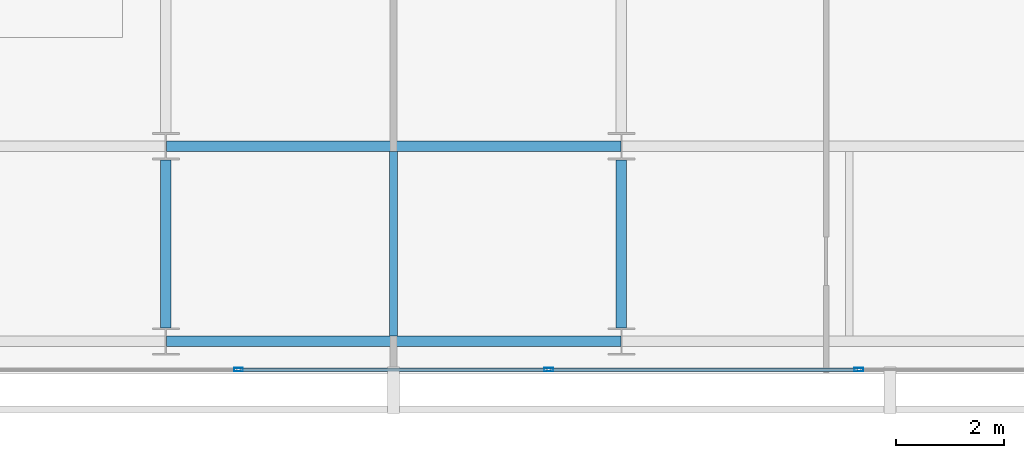
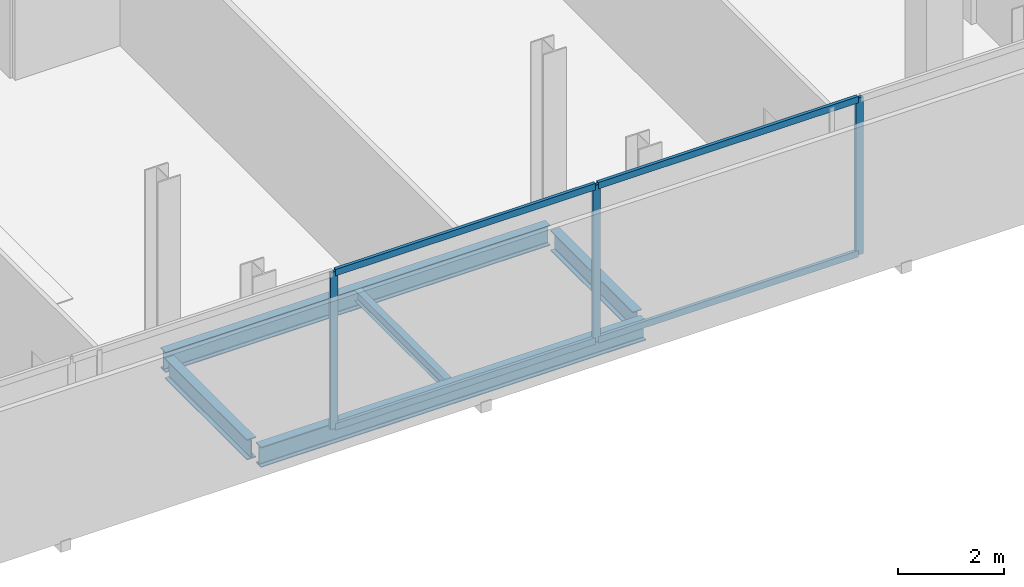
# One storey, part 5 of 23: 7 members, 5 beams, 1 element without a shape of its own.
"""IFC4 building model written with IfcOpenShell, lengths in metres."""

from ifc_helpers import new_model, si_unit, direction, frame, origin, origin_2d, place, context, subcontext, project, spatial, hollow_rectangle, i_section, extrude, material, layer, layer_set, material_profile, profile_set, type_object, element, aggregate, save


model = new_model("IFC4")

# Units and contexts
model_context = context("Model", 3, precision=1e-05, world=origin(), true_north=direction((0.0, 1.0)))
body_context = subcontext(model_context, "Body", "Model", "MODEL_VIEW")
ifc_project = project(units=[si_unit("LENGTHUNIT", "METRE"), si_unit("AREAUNIT", "SQUARE_METRE"), si_unit("VOLUMEUNIT", "CUBIC_METRE"), si_unit("PLANEANGLEUNIT", "RADIAN"), si_unit("MASSUNIT", "GRAM", prefix="KILO")], contexts=[model_context])

# Site, building, storey
site_placement = place(None, origin())
site = spatial("IfcSite", under=ifc_project, at=site_placement, CompositionType="ELEMENT")
building_placement = place(site_placement, origin())
building = spatial("IfcBuilding", under=site, at=building_placement, Name="Maruvema Waterfront Hotel and Observation Tower", CompositionType="ELEMENT")
storey_placement = place(building_placement, frame((0.0, 0.0, 337.39990234375)))
storey = spatial("IfcBuildingStorey", under=building, at=storey_placement, Name="L83", CompositionType="ELEMENT", Elevation=337.39990234375)

# Curtain wall, members
ifc_material_1 = material(Name="Anodised bronze aluminium and solar-control low-E IGU", Category="aluminium")
ifc_layer = layer(ifc_material_1, 0.159912109375, Name="Zone 4 Sky Residence Inner Curtain Wall System CW-05")
ifc_layer_set = layer_set([ifc_layer], Name="Anodised bronze aluminium and solar-control low-E IGU")
curtain_wall_type = type_object("IfcCurtainWallType", Name="Zone 4 Sky Residence Inner Curtain Wall System CW-05", PredefinedType="USERDEFINED", material=ifc_layer_set)
curtain_wall_placement = place(storey_placement, origin())
curtain_wall = element("IfcCurtainWall", 1, at=curtain_wall_placement, inside=storey, type_object=curtain_wall_type, Name="L83 Curtain Wall CW-L83-S", ObjectType="UNITISED CURTAIN WALL", PredefinedType="USERDEFINED")
ifc_material_2 = material(Name="Anodised architectural bronze aluminium", Category="aluminium")
ifc_material_profile_1 = material_profile(ifc_material_2, hollow_rectangle(XDim=0.070068359375, YDim=0.14990234375, WallThickness=0.00390625, at=origin_2d()), Name="ALU-T70x150")
ifc_profile_set_1 = profile_set([ifc_material_profile_1], Name="Anodised architectural bronze aluminium")
member_type_1 = type_object("IfcMemberType", Name="Curtain Wall Horizontal Transom ALU-T70x150", PredefinedType="USERDEFINED", material=ifc_profile_set_1)
member_1_placement = place(storey_placement, frame((34.969970703125, 13.8798828125, 0.030029296875), z_axis=(1.0, 0.0, 0.0), x_axis=(0.0, 1.0, 0.0)))
member_1 = element("IfcMember", 2, at=member_1_placement, type_object=member_type_1, Name="CW-05 transom 3.1", ObjectType="TRANSOM", PredefinedType="USERDEFINED", context=body_context, shape_type="SweptSolid", body=[
    extrude(hollow_rectangle(XDim=0.070068359375, YDim=0.14990234375, WallThickness=0.00390625, at=origin_2d()), origin(), (0.0, 0.0, 1.0), 5.659912109375),
])
member_2_placement = place(storey_placement, frame((34.969970703125, 13.8798828125, 3.580078125), z_axis=(1.0, 0.0, 0.0), x_axis=(0.0, 1.0, 0.0)))
member_2 = element("IfcMember", 3, at=member_2_placement, type_object=member_type_1, Name="CW-05 transom 3.2", ObjectType="TRANSOM", PredefinedType="USERDEFINED", context=body_context, shape_type="SweptSolid", body=[
    extrude(hollow_rectangle(XDim=0.070068359375, YDim=0.14990234375, WallThickness=0.00390625, at=origin_2d()), origin(), (0.0, 0.0, 1.0), 5.659912109375),
])
member_3_placement = place(storey_placement, frame((40.68994140625, 13.8798828125, 0.030029296875), z_axis=(1.0, 0.0, 0.0), x_axis=(0.0, 1.0, 0.0)))
member_3 = element("IfcMember", 4, at=member_3_placement, type_object=member_type_1, Name="CW-05 transom 4.1", ObjectType="TRANSOM", PredefinedType="USERDEFINED", context=body_context, shape_type="SweptSolid", body=[
    extrude(hollow_rectangle(XDim=0.070068359375, YDim=0.14990234375, WallThickness=0.00390625, at=origin_2d()), origin(), (0.0, 0.0, 1.0), 5.66015625),
])
member_4_placement = place(storey_placement, frame((40.68994140625, 13.8798828125, 3.580078125), z_axis=(1.0, 0.0, 0.0), x_axis=(0.0, 1.0, 0.0)))
member_4 = element("IfcMember", 5, at=member_4_placement, type_object=member_type_1, Name="CW-05 transom 4.2", ObjectType="TRANSOM", PredefinedType="USERDEFINED", context=body_context, shape_type="SweptSolid", body=[
    extrude(hollow_rectangle(XDim=0.070068359375, YDim=0.14990234375, WallThickness=0.00390625, at=origin_2d()), origin(), (0.0, 0.0, 1.0), 5.66015625),
])
ifc_material_3 = material(Name="Anodised architectural bronze aluminium", Category="aluminium")
ifc_material_profile_2 = material_profile(ifc_material_3, hollow_rectangle(XDim=0.06494140625, YDim=0.1650390625, WallThickness=0.00390625, at=origin_2d()), Name="ALU-M65x165")
ifc_profile_set_2 = profile_set([ifc_material_profile_2], Name="Anodised architectural bronze aluminium")
member_type_2 = type_object("IfcMemberType", Name="Curtain Wall Primary Mullion ALU-M65x165", PredefinedType="MULLION", material=ifc_profile_set_2)
member_5_placement = place(storey_placement, frame((34.93994140625, 13.8798828125, 0.0), z_axis=(0.0, 0.0, 1.0), x_axis=(0.0, 1.0, 0.0)))
member_5 = element("IfcMember", 6, at=member_5_placement, type_object=member_type_2, Name="CW-05 mullion 3", PredefinedType="MULLION", context=body_context, shape_type="SweptSolid", body=[
    extrude(hollow_rectangle(XDim=0.06494140625, YDim=0.1650390625, WallThickness=0.00390625, at=origin_2d()), origin(), (0.0, 0.0, 1.0), 3.610107421875),
])
member_6_placement = place(storey_placement, frame((40.659912109375, 13.8798828125, 0.0), z_axis=(0.0, 0.0, 1.0), x_axis=(0.0, 1.0, 0.0)))
member_6 = element("IfcMember", 7, at=member_6_placement, type_object=member_type_2, Name="CW-05 mullion 4", PredefinedType="MULLION", context=body_context, shape_type="SweptSolid", body=[
    extrude(hollow_rectangle(XDim=0.06494140625, YDim=0.1650390625, WallThickness=0.00390625, at=origin_2d()), origin(), (0.0, 0.0, 1.0), 3.610107421875),
])
member_7_placement = place(storey_placement, frame((46.3798828125, 13.8798828125, 0.0), z_axis=(0.0, 0.0, 1.0), x_axis=(0.0, 1.0, 0.0)))
member_7 = element("IfcMember", 8, at=member_7_placement, type_object=member_type_2, Name="CW-05 mullion 5", PredefinedType="MULLION", context=body_context, shape_type="SweptSolid", body=[
    extrude(hollow_rectangle(XDim=0.06494140625, YDim=0.1650390625, WallThickness=0.00390625, at=origin_2d()), origin(), (0.0, 0.0, 1.0), 3.610107421875),
])
aggregate(curtain_wall, [member_5, member_6, member_7, member_1, member_2, member_3, member_4])

# Beams
ifc_material_4 = material(Name="Steel ASTM A572 Grade 50", Category="steel")
ifc_material_profile_3 = material_profile(ifc_material_4, i_section(OverallWidth=0.194091796875, OverallDepth=0.468994140625, WebThickness=0.0126953125, FlangeThickness=0.0205078125, FilletRadius=0.014892578125, at=origin_2d()), Name="W460x106.0")
ifc_profile_set_3 = profile_set([ifc_material_profile_3], Name="Steel ASTM A572 Grade 50")
beam_type_1 = type_object("IfcBeamType", Name="Primary Floor Girder W460x106.0", PredefinedType="BEAM", material=ifc_profile_set_3)
for number, where, z_axis, x_axis, name in (
    (9, (33.611083984375, 14.39990234375, -0.474365234375), (1.0, 0.0, 0.0), (0.0, 1.0, 0.0), "L83 Floor Girder EW-02"),
    (10, (33.611083984375, 18.0, -0.474365234375), (1.0, 0.0, 0.0), (0.0, 1.0, 0.0), "L83 Floor Girder EW-05"),
):
    element("IfcBeam", number, at=place(storey_placement, frame(where, z_axis=z_axis, x_axis=x_axis)), inside=storey, type_object=beam_type_1, Name=name, PredefinedType="BEAM", context=body_context, shape_type="SweptSolid", body=[
        extrude(i_section(OverallWidth=0.194091796875, OverallDepth=0.468994140625, WebThickness=0.0126953125, FlangeThickness=0.0205078125, FilletRadius=0.014892578125, at=origin_2d()), origin(), (0.0, 0.0, 1.0), 8.3779296875),
    ])
for number, where, z_axis, x_axis, name in (
    (11, (33.60009765625, 14.64990234375, -0.474365234375), (0.0, 1.0, 0.0), (-1.0, 0.0, 0.0), "L83 Floor Girder NS-07"),
    (12, (42.0, 14.64990234375, -0.474365234375), (0.0, 1.0, 0.0), (-1.0, 0.0, 0.0), "L83 Floor Girder NS-09"),
):
    element("IfcBeam", number, at=place(storey_placement, frame(where, z_axis=z_axis, x_axis=x_axis)), inside=storey, type_object=beam_type_1, Name=name, PredefinedType="BEAM", context=body_context, shape_type="SweptSolid", body=[
        extrude(i_section(OverallWidth=0.194091796875, OverallDepth=0.468994140625, WebThickness=0.0126953125, FlangeThickness=0.0205078125, FilletRadius=0.014892578125, at=origin_2d()), origin(), (0.0, 0.0, 1.0), 3.10009765625),
    ])
ifc_material_5 = material(Name="Steel ASTM A572 Grade 50", Category="steel")
ifc_material_profile_4 = material_profile(ifc_material_5, i_section(OverallWidth=0.14599609375, OverallDepth=0.258056640625, WebThickness=0.006103515625, FlangeThickness=0.009033203125, FilletRadius=0.012939453125, at=origin_2d()), Name="W250x32.7")
ifc_profile_set_4 = profile_set([ifc_material_profile_4], Name="Steel ASTM A572 Grade 50")
beam_type_2 = type_object("IfcBeamType", Name="Secondary Floor Joist W250x32.7", PredefinedType="JOIST", material=ifc_profile_set_4)
beam_placement = place(storey_placement, frame((37.800048828125, 14.4970703125, -0.368896484375), z_axis=(0.0, 1.0, 0.0), x_axis=(-1.0, 0.0, 0.0)))
element("IfcBeam", 13, at=beam_placement, inside=storey, type_object=beam_type_2, Name="L83 Secondary Floor Joist JS-04", PredefinedType="JOIST", context=body_context, shape_type="SweptSolid", body=[
    extrude(i_section(OverallWidth=0.14599609375, OverallDepth=0.258056640625, WebThickness=0.006103515625, FlangeThickness=0.009033203125, FilletRadius=0.012939453125, at=origin_2d()), origin(), (0.0, 0.0, 1.0), 3.406005859375),
])

save(model, "model.ifc")
